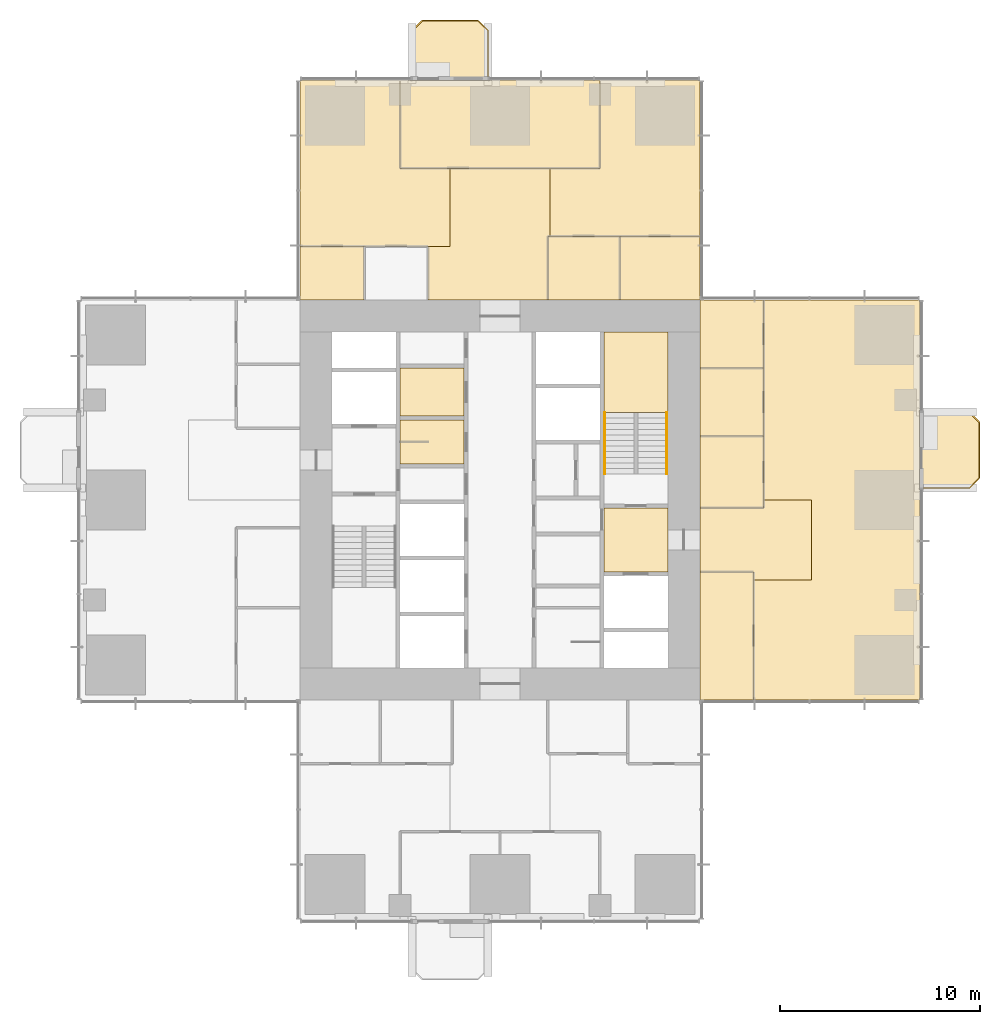
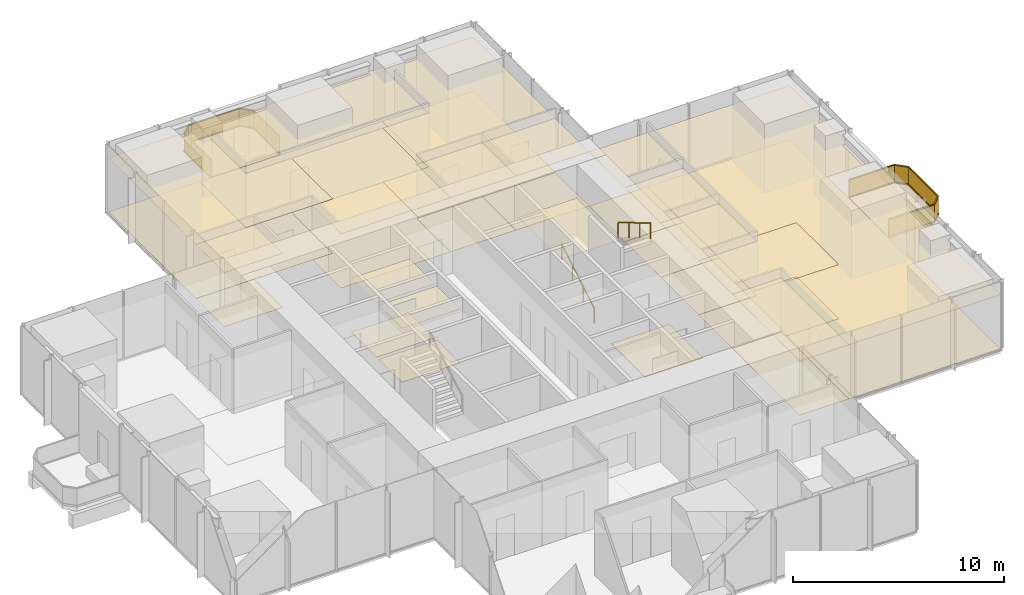
# One storey, part 12 of 13: 34 coverings, 4 railings.
"""IFC4 building model written with IfcOpenShell, lengths in metres."""

from ifc_helpers import new_model, si_unit, direction, frame, origin, origin_2d, place, context, subcontext, project, spatial, polyline, rectangle, circle, outline, extrude, material, layer, layer_set, type_object, element, save


model = new_model("IFC4")

# Units and contexts
model_context = context("Model", 3, precision=1e-05, world=origin(), true_north=direction((0.0, 1.0)))
body_context = subcontext(model_context, "Body", "Model", "MODEL_VIEW")
ifc_project = project(units=[si_unit("LENGTHUNIT", "METRE"), si_unit("AREAUNIT", "SQUARE_METRE"), si_unit("VOLUMEUNIT", "CUBIC_METRE"), si_unit("PLANEANGLEUNIT", "RADIAN"), si_unit("MASSUNIT", "GRAM", prefix="KILO")], contexts=[model_context])

# Site, building, storey
site_placement = place(None, origin())
site = spatial("IfcSite", under=ifc_project, at=site_placement, CompositionType="ELEMENT")
building_placement = place(site_placement, origin())
building = spatial("IfcBuilding", under=site, at=building_placement, Name="Svetlomir Tower", CompositionType="ELEMENT")
storey_placement = place(building_placement, frame((0.0, 0.0, 132.5)))
storey = spatial("IfcBuildingStorey", under=building, at=storey_placement, Name="L31", CompositionType="ELEMENT", Elevation=132.5)

# Railings
ifc_material_1 = material(Name="Bronze anodised aluminium and laminated glass", Category="aluminium")
railing_type_1 = type_object("IfcRailingType", Name="BALCONY GUARD GR1 1100", PredefinedType="GUARDRAIL", material=ifc_material_1)
railing_1_placement = place(storey_placement, frame((42.0, 21.60009765625, 0.0)))
element("IfcRailing", 1, at=railing_1_placement, inside=storey, type_object=railing_type_1, Name="Balcony guard E L31", PredefinedType="GUARDRAIL", context=body_context, shape_type="SweptSolid", body=[
    extrude(rectangle(XDim=0.06005859375, YDim=0.10009765625, at=origin_2d()), frame((0.0, 0.0, 0.050048828125), z_axis=(1.0, 0.0, 0.0), x_axis=(0.0, 1.0, 0.0)), (0.0, 0.0, 1.0), 2.5),
    extrude(rectangle(XDim=0.021484375, YDim=0.960205078125, at=origin_2d()), frame((0.0, 0.0, 0.580078125), z_axis=(1.0, 0.0, 0.0), x_axis=(0.0, 1.0, 0.0)), (0.0, 0.0, 1.0), 2.5),
    extrude(rectangle(XDim=0.06005859375, YDim=0.0400390625, at=origin_2d()), frame((0.0, 0.0, 1.080078125), z_axis=(1.0, 0.0, 0.0), x_axis=(0.0, 1.0, 0.0)), (0.0, 0.0, 1.0), 2.5),
    extrude(rectangle(XDim=0.06005859375, YDim=0.10009765625, at=origin_2d()), frame((2.5, 0.0, 0.050048828125), z_axis=(0.707106781187, 0.707106781187, 0.0), x_axis=(-0.707106781187, 0.707106781187, 0.0)), (0.0, 0.0, 1.0), 0.70703125),
    extrude(rectangle(XDim=0.021484375, YDim=0.960205078125, at=origin_2d()), frame((2.5, 0.0, 0.580078125), z_axis=(0.707106781187, 0.707106781187, 0.0), x_axis=(-0.707106781187, 0.707106781187, 0.0)), (0.0, 0.0, 1.0), 0.70703125),
    extrude(rectangle(XDim=0.06005859375, YDim=0.0400390625, at=origin_2d()), frame((2.5, 0.0, 1.080078125), z_axis=(0.707106781187, 0.707106781187, 0.0), x_axis=(-0.707106781187, 0.707106781187, 0.0)), (0.0, 0.0, 1.0), 0.70703125),
    extrude(rectangle(XDim=0.06005859375, YDim=0.10009765625, at=origin_2d()), frame((3.0, 0.5, 0.050048828125), z_axis=(0.0, 1.0, 0.0), x_axis=(-1.0, 0.0, 0.0)), (0.0, 0.0, 1.0), 2.7998046875),
    extrude(rectangle(XDim=0.021484375, YDim=0.960205078125, at=origin_2d()), frame((3.0, 0.5, 0.580078125), z_axis=(0.0, 1.0, 0.0), x_axis=(-1.0, 0.0, 0.0)), (0.0, 0.0, 1.0), 2.7998046875),
    extrude(rectangle(XDim=0.06005859375, YDim=0.0400390625, at=origin_2d()), frame((3.0, 0.5, 1.080078125), z_axis=(0.0, 1.0, 0.0), x_axis=(-1.0, 0.0, 0.0)), (0.0, 0.0, 1.0), 2.7998046875),
    extrude(rectangle(XDim=0.06005859375, YDim=0.10009765625, at=origin_2d()), frame((3.0, 3.2998046875, 0.050048828125), z_axis=(-0.707106781187, 0.707106781187, 0.0), x_axis=(-0.707106781187, -0.707106781187, 0.0)), (0.0, 0.0, 1.0), 0.70703125),
    extrude(rectangle(XDim=0.021484375, YDim=0.960205078125, at=origin_2d()), frame((3.0, 3.2998046875, 0.580078125), z_axis=(-0.707106781187, 0.707106781187, 0.0), x_axis=(-0.707106781187, -0.707106781187, 0.0)), (0.0, 0.0, 1.0), 0.70703125),
    extrude(rectangle(XDim=0.06005859375, YDim=0.0400390625, at=origin_2d()), frame((3.0, 3.2998046875, 1.080078125), z_axis=(-0.707106781187, 0.707106781187, 0.0), x_axis=(-0.707106781187, -0.707106781187, 0.0)), (0.0, 0.0, 1.0), 0.70703125),
    extrude(rectangle(XDim=0.06005859375, YDim=0.10009765625, at=origin_2d()), frame((2.5, 3.7998046875, 0.050048828125), z_axis=(-1.0, 0.0, 0.0), x_axis=(0.0, -1.0, 0.0)), (0.0, 0.0, 1.0), 2.5),
    extrude(rectangle(XDim=0.021484375, YDim=0.960205078125, at=origin_2d()), frame((2.5, 3.7998046875, 0.580078125), z_axis=(-1.0, 0.0, 0.0), x_axis=(0.0, -1.0, 0.0)), (0.0, 0.0, 1.0), 2.5),
    extrude(rectangle(XDim=0.06005859375, YDim=0.0400390625, at=origin_2d()), frame((2.5, 3.7998046875, 1.080078125), z_axis=(-1.0, 0.0, 0.0), x_axis=(0.0, -1.0, 0.0)), (0.0, 0.0, 1.0), 2.5),
])
railing_2_placement = place(storey_placement, frame((20.39990234375, 42.0, 0.0)))
element("IfcRailing", 2, at=railing_2_placement, inside=storey, type_object=railing_type_1, Name="Balcony guard N L31", PredefinedType="GUARDRAIL", context=body_context, shape_type="SweptSolid", body=[
    extrude(rectangle(XDim=0.06005859375, YDim=0.10009765625, at=origin_2d()), frame((0.0, 0.0, 0.050048828125), z_axis=(0.0, 1.0, 0.0), x_axis=(-1.0, 0.0, 0.0)), (0.0, 0.0, 1.0), 2.5),
    extrude(rectangle(XDim=0.021484375, YDim=0.960205078125, at=origin_2d()), frame((0.0, 0.0, 0.580078125), z_axis=(0.0, 1.0, 0.0), x_axis=(-1.0, 0.0, 0.0)), (0.0, 0.0, 1.0), 2.5),
    extrude(rectangle(XDim=0.06005859375, YDim=0.0400390625, at=origin_2d()), frame((0.0, 0.0, 1.080078125), z_axis=(0.0, 1.0, 0.0), x_axis=(-1.0, 0.0, 0.0)), (0.0, 0.0, 1.0), 2.5),
    extrude(rectangle(XDim=0.06005859375, YDim=0.10009765625, at=origin_2d()), frame((0.0, 2.5, 0.050048828125), z_axis=(-0.707106781187, 0.707106781187, 0.0), x_axis=(-0.707106781187, -0.707106781187, 0.0)), (0.0, 0.0, 1.0), 0.70703125),
    extrude(rectangle(XDim=0.021484375, YDim=0.960205078125, at=origin_2d()), frame((0.0, 2.5, 0.580078125), z_axis=(-0.707106781187, 0.707106781187, 0.0), x_axis=(-0.707106781187, -0.707106781187, 0.0)), (0.0, 0.0, 1.0), 0.70703125),
    extrude(rectangle(XDim=0.06005859375, YDim=0.0400390625, at=origin_2d()), frame((0.0, 2.5, 1.080078125), z_axis=(-0.707106781187, 0.707106781187, 0.0), x_axis=(-0.707106781187, -0.707106781187, 0.0)), (0.0, 0.0, 1.0), 0.70703125),
    extrude(rectangle(XDim=0.06005859375, YDim=0.10009765625, at=origin_2d()), frame((-0.5, 3.0, 0.050048828125), z_axis=(-1.0, 0.0, 0.0), x_axis=(0.0, -1.0, 0.0)), (0.0, 0.0, 1.0), 2.7998046875),
    extrude(rectangle(XDim=0.021484375, YDim=0.960205078125, at=origin_2d()), frame((-0.5, 3.0, 0.580078125), z_axis=(-1.0, 0.0, 0.0), x_axis=(0.0, -1.0, 0.0)), (0.0, 0.0, 1.0), 2.7998046875),
    extrude(rectangle(XDim=0.06005859375, YDim=0.0400390625, at=origin_2d()), frame((-0.5, 3.0, 1.080078125), z_axis=(-1.0, 0.0, 0.0), x_axis=(0.0, -1.0, 0.0)), (0.0, 0.0, 1.0), 2.7998046875),
    extrude(rectangle(XDim=0.06005859375, YDim=0.10009765625, at=origin_2d()), frame((-3.2998046875, 3.0, 0.050048828125), z_axis=(-0.707106781187, -0.707106781187, 0.0), x_axis=(0.707106781187, -0.707106781187, 0.0)), (0.0, 0.0, 1.0), 0.70703125),
    extrude(rectangle(XDim=0.021484375, YDim=0.960205078125, at=origin_2d()), frame((-3.2998046875, 3.0, 0.580078125), z_axis=(-0.707106781187, -0.707106781187, 0.0), x_axis=(0.707106781187, -0.707106781187, 0.0)), (0.0, 0.0, 1.0), 0.70703125),
    extrude(rectangle(XDim=0.06005859375, YDim=0.0400390625, at=origin_2d()), frame((-3.2998046875, 3.0, 1.080078125), z_axis=(-0.707106781187, -0.707106781187, 0.0), x_axis=(0.707106781187, -0.707106781187, 0.0)), (0.0, 0.0, 1.0), 0.70703125),
    extrude(rectangle(XDim=0.06005859375, YDim=0.10009765625, at=origin_2d()), frame((-3.7998046875, 2.5, 0.050048828125), z_axis=(0.0, -1.0, 0.0), x_axis=(1.0, 0.0, 0.0)), (0.0, 0.0, 1.0), 2.5),
    extrude(rectangle(XDim=0.021484375, YDim=0.960205078125, at=origin_2d()), frame((-3.7998046875, 2.5, 0.580078125), z_axis=(0.0, -1.0, 0.0), x_axis=(1.0, 0.0, 0.0)), (0.0, 0.0, 1.0), 2.5),
    extrude(rectangle(XDim=0.06005859375, YDim=0.0400390625, at=origin_2d()), frame((-3.7998046875, 2.5, 1.080078125), z_axis=(0.0, -1.0, 0.0), x_axis=(1.0, 0.0, 0.0)), (0.0, 0.0, 1.0), 2.5),
])

# Coverings
ifc_material_2 = material(Name="Granite paving slabs on pedestals", Category="masonry")
ifc_layer_1 = layer(ifc_material_2, 0.0400390625)
ifc_layer_set_1 = layer_set([ifc_layer_1], Name="Granite paving slabs on pedestals")
covering_type_1 = type_object("IfcCoveringType", Name="BALCONY PAVING 40", PredefinedType="USERDEFINED", material=ifc_layer_set_1)
covering_1_placement = place(storey_placement, origin())
element("IfcCovering", 3, at=covering_1_placement, inside=storey, type_object=covering_type_1, Name="Balcony paving E L31", ObjectType="BALCONY PAVING", PredefinedType="USERDEFINED", context=body_context, shape_type="SweptSolid", body=[
    extrude(outline(polyline([(42.0, 21.60009765625), (44.5, 21.60009765625), (45.0, 22.10009765625), (45.0, 24.89990234375), (44.5, 25.39990234375), (42.0, 25.39990234375), (42.0, 21.60009765625)])), origin(), (0.0, 0.0, 1.0), 0.0400390625),
])
covering_2_placement = place(storey_placement, origin())
element("IfcCovering", 4, at=covering_2_placement, inside=storey, type_object=covering_type_1, Name="Balcony paving N L31", ObjectType="BALCONY PAVING", PredefinedType="USERDEFINED", context=body_context, shape_type="SweptSolid", body=[
    extrude(outline(polyline([(16.60009765625, 42.0), (20.39990234375, 42.0), (20.39990234375, 44.5), (19.89990234375, 45.0), (17.10009765625, 45.0), (16.60009765625, 44.5), (16.60009765625, 42.0)])), origin(), (0.0, 0.0, 1.0), 0.0400390625),
])
ifc_material_3 = material(Name="Carpet tile", Category="textile")
ifc_layer_2 = layer(ifc_material_3, 0.010009765625)
ifc_layer_set_2 = layer_set([ifc_layer_2], Name="Carpet tile")
covering_type_2 = type_object("IfcCoveringType", Name="CARPET TILE FLOOR 10", PredefinedType="FLOORING", material=ifc_layer_set_2)
covering_3_placement = place(storey_placement, origin())
element("IfcCovering", 5, at=covering_3_placement, inside=storey, type_object=covering_type_2, Name="Floor finish L31-22", PredefinedType="FLOORING", context=body_context, shape_type="SweptSolid", body=[
    extrude(outline(polyline([(31.0, 11.0), (33.699951171875, 11.0), (33.699951171875, 17.39990234375), (31.0, 17.39990234375), (31.0, 11.0)])), origin(), (0.0, 0.0, 1.0), 0.010009765625),
])
covering_4_placement = place(storey_placement, origin())
element("IfcCovering", 6, at=covering_4_placement, inside=storey, type_object=covering_type_2, Name="Floor finish L31-23", PredefinedType="FLOORING", context=body_context, shape_type="SweptSolid", body=[
    extrude(outline(polyline([(31.0, 20.60009765625), (34.199951171875, 20.60009765625), (34.199951171875, 24.199951171875), (31.0, 24.199951171875), (31.0, 20.60009765625)])), origin(), (0.0, 0.0, 1.0), 0.010009765625),
])
covering_5_placement = place(storey_placement, origin())
element("IfcCovering", 7, at=covering_5_placement, inside=storey, type_object=covering_type_2, Name="Floor finish L31-24", PredefinedType="FLOORING", context=body_context, shape_type="SweptSolid", body=[
    extrude(outline(polyline([(31.0, 24.199951171875), (34.199951171875, 24.199951171875), (34.199951171875, 27.60009765625), (31.0, 27.60009765625), (31.0, 24.199951171875)])), origin(), (0.0, 0.0, 1.0), 0.010009765625),
])
covering_6_placement = place(storey_placement, origin())
element("IfcCovering", 8, at=covering_6_placement, inside=storey, type_object=covering_type_2, Name="Floor finish L31-25", PredefinedType="FLOORING", context=body_context, shape_type="SweptSolid", body=[
    extrude(outline(polyline([(31.0, 27.60009765625), (34.199951171875, 27.60009765625), (34.199951171875, 31.0), (31.0, 31.0), (31.0, 27.60009765625)])), origin(), (0.0, 0.0, 1.0), 0.010009765625),
])
covering_7_placement = place(storey_placement, origin())
element("IfcCovering", 9, at=covering_7_placement, inside=storey, type_object=covering_type_2, Name="Floor finish L31-26", PredefinedType="FLOORING", context=body_context, shape_type="SweptSolid", body=[
    extrude(outline(polyline([(11.0, 31.0), (14.199951171875, 31.0), (14.199951171875, 33.699951171875), (11.0, 33.699951171875), (11.0, 31.0)])), origin(), (0.0, 0.0, 1.0), 0.010009765625),
])
covering_8_placement = place(storey_placement, origin())
element("IfcCovering", 10, at=covering_8_placement, inside=storey, type_object=covering_type_2, Name="Floor finish L31-28", PredefinedType="FLOORING", context=body_context, shape_type="SweptSolid", body=[
    extrude(outline(polyline([(23.39990234375, 31.0), (27.0, 31.0), (27.0, 34.199951171875), (23.39990234375, 34.199951171875), (23.39990234375, 31.0)])), origin(), (0.0, 0.0, 1.0), 0.010009765625),
])
covering_9_placement = place(storey_placement, origin())
element("IfcCovering", 11, at=covering_9_placement, inside=storey, type_object=covering_type_2, Name="Floor finish L31-29", PredefinedType="FLOORING", context=body_context, shape_type="SweptSolid", body=[
    extrude(outline(polyline([(27.0, 31.0), (31.0, 31.0), (31.0, 34.199951171875), (27.0, 34.199951171875), (27.0, 31.0)])), origin(), (0.0, 0.0, 1.0), 0.010009765625),
])
covering_10_placement = place(storey_placement, origin())
element("IfcCovering", 12, at=covering_10_placement, inside=storey, type_object=covering_type_2, Name="Floor finish L31-30", PredefinedType="FLOORING", context=body_context, shape_type="SweptSolid", body=[
    extrude(outline(polyline([(16.0, 37.60009765625), (26.0, 37.60009765625), (26.0, 42.0), (16.0, 42.0), (16.0, 37.60009765625)])), origin(), (0.0, 0.0, 1.0), 0.010009765625),
])
covering_11_placement = place(storey_placement, origin())
element("IfcCovering", 13, at=covering_11_placement, inside=storey, type_object=covering_type_2, Name="Floor finish L31-36", PredefinedType="FLOORING", context=body_context, shape_type="SweptSolid", body=[
    extrude(outline(polyline([(34.199951171875, 20.60009765625), (34.199951171875, 21.0), (36.60009765625, 21.0), (36.60009765625, 17.0), (33.699951171875, 17.0), (33.699951171875, 17.39990234375), (31.0, 17.39990234375), (31.0, 20.60009765625), (34.199951171875, 20.60009765625)])), origin(), (0.0, 0.0, 1.0), 0.010009765625),
])
covering_12_placement = place(storey_placement, origin())
element("IfcCovering", 14, at=covering_12_placement, inside=storey, type_object=covering_type_2, Name="Floor finish L31-38", PredefinedType="FLOORING", context=body_context, shape_type="SweptSolid", body=[
    extrude(outline(polyline([(18.5, 33.699951171875), (18.5, 37.60009765625), (23.5, 37.60009765625), (23.5, 34.199951171875), (23.39990234375, 34.199951171875), (23.39990234375, 31.0), (17.39990234375, 31.0), (17.39990234375, 33.699951171875), (18.5, 33.699951171875)])), origin(), (0.0, 0.0, 1.0), 0.010009765625),
])
covering_13_placement = place(storey_placement, origin())
element("IfcCovering", 15, at=covering_13_placement, inside=storey, type_object=covering_type_2, Name="Floor finish L31-41", PredefinedType="FLOORING", context=body_context, shape_type="SweptSolid", body=[
    extrude(outline(polyline([(33.699951171875, 11.0), (33.699951171875, 17.0), (36.60009765625, 17.0), (36.60009765625, 21.0), (34.199951171875, 21.0), (34.199951171875, 31.0), (42.0, 31.0), (42.0, 11.0), (33.699951171875, 11.0)])), origin(), (0.0, 0.0, 1.0), 0.010009765625),
])
covering_14_placement = place(storey_placement, origin())
element("IfcCovering", 16, at=covering_14_placement, inside=storey, type_object=covering_type_2, Name="Floor finish L31-42", PredefinedType="FLOORING", context=body_context, shape_type="SweptSolid", body=[
    extrude(outline(polyline([(23.5, 34.199951171875), (23.5, 37.60009765625), (26.0, 37.60009765625), (26.0, 42.0), (31.0, 42.0), (31.0, 34.199951171875), (23.5, 34.199951171875)])), origin(), (0.0, 0.0, 1.0), 0.010009765625),
])
covering_15_placement = place(storey_placement, origin())
element("IfcCovering", 17, at=covering_15_placement, inside=storey, type_object=covering_type_2, Name="Floor finish L31-43", PredefinedType="FLOORING", context=body_context, shape_type="SweptSolid", body=[
    extrude(outline(polyline([(11.0, 33.699951171875), (11.0, 42.0), (16.0, 42.0), (16.0, 37.60009765625), (18.5, 37.60009765625), (18.5, 33.699951171875), (11.0, 33.699951171875)])), origin(), (0.0, 0.0, 1.0), 0.010009765625),
])
ifc_material_4 = material(Name="Ceramic floor tile", Category="ceramic")
ifc_layer_3 = layer(ifc_material_4, 0.014892578125)
ifc_layer_set_3 = layer_set([ifc_layer_3], Name="Ceramic floor tile")
covering_type_3 = type_object("IfcCoveringType", Name="CERAMIC TILE FLOOR 15", PredefinedType="FLOORING", material=ifc_layer_set_3)
covering_16_placement = place(storey_placement, origin())
element("IfcCovering", 18, at=covering_16_placement, inside=storey, type_object=covering_type_3, Name="Floor finish L31-04", PredefinedType="FLOORING", context=body_context, shape_type="SweptSolid", body=[
    extrude(outline(polyline([(16.0, 22.800048828125), (19.199951171875, 22.800048828125), (19.199951171875, 25.0), (16.0, 25.0), (16.0, 22.800048828125)])), origin(), (0.0, 0.0, 1.0), 0.014892578125),
])
covering_17_placement = place(storey_placement, origin())
element("IfcCovering", 19, at=covering_17_placement, inside=storey, type_object=covering_type_3, Name="Floor finish L31-05", PredefinedType="FLOORING", context=body_context, shape_type="SweptSolid", body=[
    extrude(outline(polyline([(16.0, 25.199951171875), (19.199951171875, 25.199951171875), (19.199951171875, 27.60009765625), (16.0, 27.60009765625), (16.0, 25.199951171875)])), origin(), (0.0, 0.0, 1.0), 0.014892578125),
])

# Railings
ifc_material_5 = material(Name="Stainless steel", Category="steel")
railing_type_2 = type_object("IfcRailingType", Name="HANDRAIL HR1 900", PredefinedType="HANDRAIL", material=ifc_material_5)
railing_3_placement = place(storey_placement, frame((26.25, 22.300048828125, 0.166748046875)))
element("IfcRailing", 20, at=railing_3_placement, inside=storey, type_object=railing_type_2, Name="Handrail S2 flight 1 L31", PredefinedType="HANDRAIL", context=body_context, shape_type="SweptSolid", body=[
    extrude(circle(Radius=0.02392578125, at=origin_2d()), frame((0.0, 0.0, 0.8759765625), z_axis=(0.0, 0.859290745958, 0.51148745235), x_axis=(-1.0, 0.0, 0.0)), (0.0, 0.0, 1.0), 3.584228515625),
    extrude(circle(Radius=0.02099609375, at=origin_2d()), origin(), (0.0, 0.0, 1.0), 0.851806640625),
    extrude(circle(Radius=0.02099609375, at=origin_2d()), frame((0.0, 1.026611328125, 0.611083984375)), (0.0, 0.0, 1.0), 0.851806640625),
    extrude(circle(Radius=0.02099609375, at=origin_2d()), frame((0.0, 2.05322265625, 1.22216796875)), (0.0, 0.0, 1.0), 0.851806640625),
    extrude(circle(Radius=0.02099609375, at=origin_2d()), frame((0.0, 3.079833984375, 1.833251953125)), (0.0, 0.0, 1.0), 0.851806640625),
])
railing_4_placement = place(storey_placement, frame((29.35009765625, 25.3798828125, 2.166748046875)))
element("IfcRailing", 21, at=railing_4_placement, inside=storey, type_object=railing_type_2, Name="Handrail S2 flight 2 L31", PredefinedType="HANDRAIL", context=body_context, shape_type="SweptSolid", body=[
    extrude(circle(Radius=0.02392578125, at=origin_2d()), frame((0.0, 0.0, 0.8759765625), z_axis=(0.0, -0.859290745958, 0.51148745235), x_axis=(1.0, 0.0, 0.0)), (0.0, 0.0, 1.0), 3.584228515625),
    extrude(circle(Radius=0.02099609375, at=origin_2d()), origin(), (0.0, 0.0, 1.0), 0.851806640625),
    extrude(circle(Radius=0.02099609375, at=origin_2d()), frame((0.0, -1.026611328125, 0.611083984375)), (0.0, 0.0, 1.0), 0.851806640625),
    extrude(circle(Radius=0.02099609375, at=origin_2d()), frame((0.0, -2.05322265625, 1.22216796875)), (0.0, 0.0, 1.0), 0.851806640625),
    extrude(circle(Radius=0.02099609375, at=origin_2d()), frame((0.0, -3.079833984375, 1.833251953125)), (0.0, 0.0, 1.0), 0.851806640625),
])

# Coverings
ifc_material_6 = material(Name="Moisture resistant plasterboard ceiling", Category="gypsum")
ifc_layer_4 = layer(ifc_material_6, 0.012451171875)
ifc_layer_set_4 = layer_set([ifc_layer_4], Name="Moisture resistant plasterboard ceiling")
covering_type_4 = type_object("IfcCoveringType", Name="MOISTURE RESISTANT CEILING 12.5", PredefinedType="CEILING", material=ifc_layer_set_4)
covering_18_placement = place(storey_placement, frame((0.0, 0.0, 3.137451171875)))
element("IfcCovering", 22, at=covering_18_placement, inside=storey, type_object=covering_type_4, Name="Ceiling L31-04", PredefinedType="CEILING", context=body_context, shape_type="SweptSolid", body=[
    extrude(outline(polyline([(16.0, 22.800048828125), (19.199951171875, 22.800048828125), (19.199951171875, 25.0), (16.0, 25.0), (16.0, 22.800048828125)])), origin(), (0.0, 0.0, 1.0), 0.012451171875),
])
covering_19_placement = place(storey_placement, frame((0.0, 0.0, 3.137451171875)))
element("IfcCovering", 23, at=covering_19_placement, inside=storey, type_object=covering_type_4, Name="Ceiling L31-05", PredefinedType="CEILING", context=body_context, shape_type="SweptSolid", body=[
    extrude(outline(polyline([(16.0, 25.199951171875), (19.199951171875, 25.199951171875), (19.199951171875, 27.60009765625), (16.0, 27.60009765625), (16.0, 25.199951171875)])), origin(), (0.0, 0.0, 1.0), 0.012451171875),
])
ifc_material_7 = material(Name="Studded rubber floor finish", Category="rubber")
ifc_layer_5 = layer(ifc_material_7, 0.006103515625)
ifc_layer_set_5 = layer_set([ifc_layer_5], Name="Studded rubber floor finish")
covering_type_5 = type_object("IfcCoveringType", Name="RUBBER LANDING FINISH 6", PredefinedType="FLOORING", material=ifc_layer_set_5)
covering_20_placement = place(storey_placement, frame((0.0, 0.0, 2.0)))
element("IfcCovering", 24, at=covering_20_placement, inside=storey, type_object=covering_type_5, Name="Stair S2 landing finish L31", PredefinedType="FLOORING", context=body_context, shape_type="SweptSolid", body=[
    extrude(outline(polyline([(26.199951171875, 25.3798828125), (29.39990234375, 25.3798828125), (29.39990234375, 29.39990234375), (26.199951171875, 29.39990234375), (26.199951171875, 25.3798828125)])), origin(), (0.0, 0.0, 1.0), 0.006103515625),
])
ifc_material_8 = material(Name="Mineral fibre ceiling tile", Category="mineral")
ifc_layer_6 = layer(ifc_material_8, 0.02001953125)
ifc_layer_set_6 = layer_set([ifc_layer_6], Name="Mineral fibre ceiling tile")
covering_type_6 = type_object("IfcCoveringType", Name="SUSPENDED CEILING 20", PredefinedType="CEILING", material=ifc_layer_set_6)
covering_21_placement = place(storey_placement, frame((0.0, 0.0, 3.1298828125)))
element("IfcCovering", 25, at=covering_21_placement, inside=storey, type_object=covering_type_6, Name="Ceiling L31-22", PredefinedType="CEILING", context=body_context, shape_type="SweptSolid", body=[
    extrude(outline(polyline([(31.0, 11.0), (33.699951171875, 11.0), (33.699951171875, 17.39990234375), (31.0, 17.39990234375), (31.0, 11.0)])), origin(), (0.0, 0.0, 1.0), 0.02001953125),
])
covering_22_placement = place(storey_placement, frame((0.0, 0.0, 3.1298828125)))
element("IfcCovering", 26, at=covering_22_placement, inside=storey, type_object=covering_type_6, Name="Ceiling L31-23", PredefinedType="CEILING", context=body_context, shape_type="SweptSolid", body=[
    extrude(outline(polyline([(31.0, 20.60009765625), (34.199951171875, 20.60009765625), (34.199951171875, 24.199951171875), (31.0, 24.199951171875), (31.0, 20.60009765625)])), origin(), (0.0, 0.0, 1.0), 0.02001953125),
])
covering_23_placement = place(storey_placement, frame((0.0, 0.0, 3.1298828125)))
element("IfcCovering", 27, at=covering_23_placement, inside=storey, type_object=covering_type_6, Name="Ceiling L31-24", PredefinedType="CEILING", context=body_context, shape_type="SweptSolid", body=[
    extrude(outline(polyline([(31.0, 24.199951171875), (34.199951171875, 24.199951171875), (34.199951171875, 27.60009765625), (31.0, 27.60009765625), (31.0, 24.199951171875)])), origin(), (0.0, 0.0, 1.0), 0.02001953125),
])
covering_24_placement = place(storey_placement, frame((0.0, 0.0, 3.1298828125)))
element("IfcCovering", 28, at=covering_24_placement, inside=storey, type_object=covering_type_6, Name="Ceiling L31-25", PredefinedType="CEILING", context=body_context, shape_type="SweptSolid", body=[
    extrude(outline(polyline([(31.0, 27.60009765625), (34.199951171875, 27.60009765625), (34.199951171875, 31.0), (31.0, 31.0), (31.0, 27.60009765625)])), origin(), (0.0, 0.0, 1.0), 0.02001953125),
])
covering_25_placement = place(storey_placement, frame((0.0, 0.0, 3.1298828125)))
element("IfcCovering", 29, at=covering_25_placement, inside=storey, type_object=covering_type_6, Name="Ceiling L31-26", PredefinedType="CEILING", context=body_context, shape_type="SweptSolid", body=[
    extrude(outline(polyline([(11.0, 31.0), (14.199951171875, 31.0), (14.199951171875, 33.699951171875), (11.0, 33.699951171875), (11.0, 31.0)])), origin(), (0.0, 0.0, 1.0), 0.02001953125),
])
covering_26_placement = place(storey_placement, frame((0.0, 0.0, 3.1298828125)))
element("IfcCovering", 30, at=covering_26_placement, inside=storey, type_object=covering_type_6, Name="Ceiling L31-28", PredefinedType="CEILING", context=body_context, shape_type="SweptSolid", body=[
    extrude(outline(polyline([(23.39990234375, 31.0), (27.0, 31.0), (27.0, 34.199951171875), (23.39990234375, 34.199951171875), (23.39990234375, 31.0)])), origin(), (0.0, 0.0, 1.0), 0.02001953125),
])
covering_27_placement = place(storey_placement, frame((0.0, 0.0, 3.1298828125)))
element("IfcCovering", 31, at=covering_27_placement, inside=storey, type_object=covering_type_6, Name="Ceiling L31-29", PredefinedType="CEILING", context=body_context, shape_type="SweptSolid", body=[
    extrude(outline(polyline([(27.0, 31.0), (31.0, 31.0), (31.0, 34.199951171875), (27.0, 34.199951171875), (27.0, 31.0)])), origin(), (0.0, 0.0, 1.0), 0.02001953125),
])
covering_28_placement = place(storey_placement, frame((0.0, 0.0, 3.1298828125)))
element("IfcCovering", 32, at=covering_28_placement, inside=storey, type_object=covering_type_6, Name="Ceiling L31-30", PredefinedType="CEILING", context=body_context, shape_type="SweptSolid", body=[
    extrude(outline(polyline([(16.0, 37.60009765625), (26.0, 37.60009765625), (26.0, 42.0), (16.0, 42.0), (16.0, 37.60009765625)])), origin(), (0.0, 0.0, 1.0), 0.02001953125),
])
covering_29_placement = place(storey_placement, frame((0.0, 0.0, 3.1298828125)))
element("IfcCovering", 33, at=covering_29_placement, inside=storey, type_object=covering_type_6, Name="Ceiling L31-36", PredefinedType="CEILING", context=body_context, shape_type="SweptSolid", body=[
    extrude(outline(polyline([(34.199951171875, 20.60009765625), (34.199951171875, 21.0), (36.60009765625, 21.0), (36.60009765625, 17.0), (33.699951171875, 17.0), (33.699951171875, 17.39990234375), (31.0, 17.39990234375), (31.0, 20.60009765625), (34.199951171875, 20.60009765625)])), origin(), (0.0, 0.0, 1.0), 0.02001953125),
])
covering_30_placement = place(storey_placement, frame((0.0, 0.0, 3.1298828125)))
element("IfcCovering", 34, at=covering_30_placement, inside=storey, type_object=covering_type_6, Name="Ceiling L31-38", PredefinedType="CEILING", context=body_context, shape_type="SweptSolid", body=[
    extrude(outline(polyline([(18.5, 33.699951171875), (18.5, 37.60009765625), (23.5, 37.60009765625), (23.5, 34.199951171875), (23.39990234375, 34.199951171875), (23.39990234375, 31.0), (17.39990234375, 31.0), (17.39990234375, 33.699951171875), (18.5, 33.699951171875)])), origin(), (0.0, 0.0, 1.0), 0.02001953125),
])
covering_31_placement = place(storey_placement, frame((0.0, 0.0, 3.1298828125)))
element("IfcCovering", 35, at=covering_31_placement, inside=storey, type_object=covering_type_6, Name="Ceiling L31-41", PredefinedType="CEILING", context=body_context, shape_type="SweptSolid", body=[
    extrude(outline(polyline([(33.699951171875, 11.0), (33.699951171875, 17.0), (36.60009765625, 17.0), (36.60009765625, 21.0), (34.199951171875, 21.0), (34.199951171875, 31.0), (42.0, 31.0), (42.0, 11.0), (33.699951171875, 11.0)])), origin(), (0.0, 0.0, 1.0), 0.02001953125),
])
covering_32_placement = place(storey_placement, frame((0.0, 0.0, 3.1298828125)))
element("IfcCovering", 36, at=covering_32_placement, inside=storey, type_object=covering_type_6, Name="Ceiling L31-42", PredefinedType="CEILING", context=body_context, shape_type="SweptSolid", body=[
    extrude(outline(polyline([(23.5, 34.199951171875), (23.5, 37.60009765625), (26.0, 37.60009765625), (26.0, 42.0), (31.0, 42.0), (31.0, 34.199951171875), (23.5, 34.199951171875)])), origin(), (0.0, 0.0, 1.0), 0.02001953125),
])
covering_33_placement = place(storey_placement, frame((0.0, 0.0, 3.1298828125)))
element("IfcCovering", 37, at=covering_33_placement, inside=storey, type_object=covering_type_6, Name="Ceiling L31-43", PredefinedType="CEILING", context=body_context, shape_type="SweptSolid", body=[
    extrude(outline(polyline([(11.0, 33.699951171875), (11.0, 42.0), (16.0, 42.0), (16.0, 37.60009765625), (18.5, 37.60009765625), (18.5, 33.699951171875), (11.0, 33.699951171875)])), origin(), (0.0, 0.0, 1.0), 0.02001953125),
])
ifc_material_9 = material(Name="Bronze-aggregate terrazzo", Category="stone")
ifc_layer_7 = layer(ifc_material_9, 0.030029296875)
ifc_layer_set_7 = layer_set([ifc_layer_7], Name="Bronze-aggregate terrazzo")
covering_type_7 = type_object("IfcCoveringType", Name="TERRAZZO FLOOR 30", PredefinedType="FLOORING", material=ifc_layer_set_7)
covering_34_placement = place(storey_placement, origin())
element("IfcCovering", 38, at=covering_34_placement, inside=storey, type_object=covering_type_7, Name="Floor finish L31-12", PredefinedType="FLOORING", context=body_context, shape_type="SweptSolid", body=[
    extrude(outline(polyline([(26.199951171875, 17.39990234375), (29.39990234375, 17.39990234375), (29.39990234375, 20.60009765625), (26.199951171875, 20.60009765625), (26.199951171875, 17.39990234375)])), origin(), (0.0, 0.0, 1.0), 0.030029296875),
])

save(model, "model.ifc")
